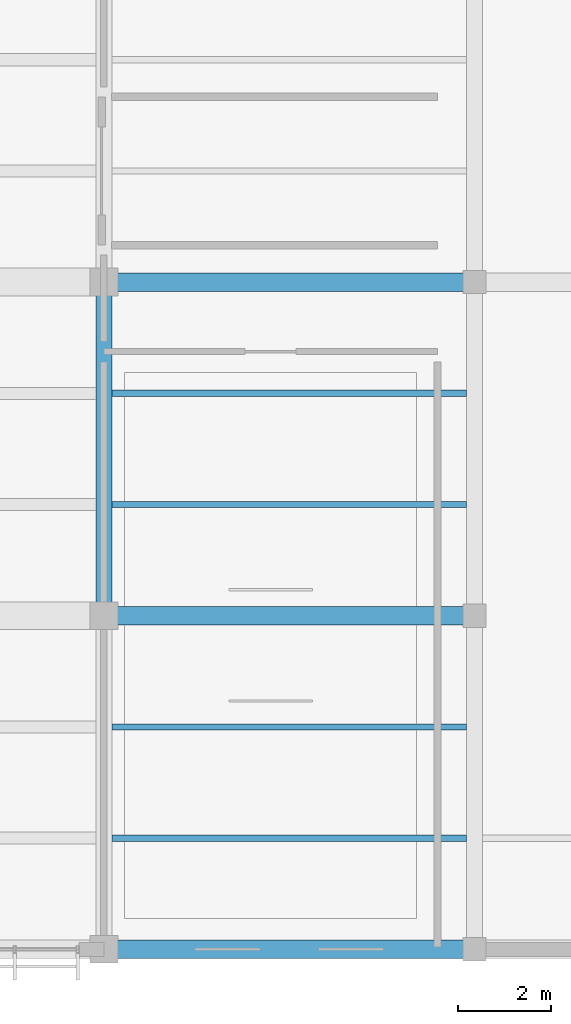
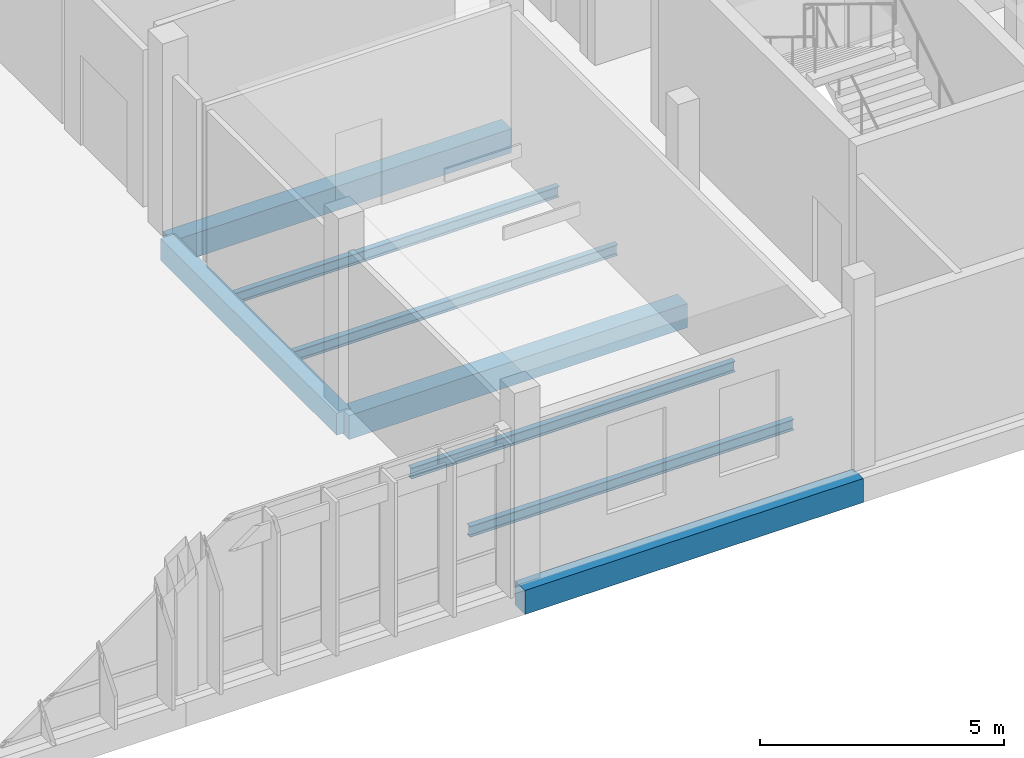
# One storey, part 17 of 177: 8 beams.
"""IFC4 building model written with IfcOpenShell, lengths in metres."""

from ifc_helpers import new_model, si_unit, direction, frame, origin, origin_2d, place, context, subcontext, project, spatial, rectangle, i_section, extrude, material, material_profile, profile_set, type_object, element, save


model = new_model("IFC4")

# Units and contexts
model_context = context("Model", 3, precision=1e-05, world=origin(), true_north=direction((0.0, 1.0)))
body_context = subcontext(model_context, "Body", "Model", "MODEL_VIEW")
ifc_project = project(units=[si_unit("LENGTHUNIT", "METRE"), si_unit("AREAUNIT", "SQUARE_METRE"), si_unit("VOLUMEUNIT", "CUBIC_METRE"), si_unit("PLANEANGLEUNIT", "RADIAN"), si_unit("MASSUNIT", "GRAM", prefix="KILO")], contexts=[model_context])

# Site, building, storey
site_placement = place(None, origin())
site = spatial("IfcSite", under=ifc_project, at=site_placement, CompositionType="ELEMENT")
building_placement = place(site_placement, origin())
building = spatial("IfcBuilding", under=site, at=building_placement, Name="Chiffa Square Polytechnic", CompositionType="ELEMENT")
storey_placement = place(building_placement, frame((0.0, 0.0, 4.800048828125)))
storey = spatial("IfcBuildingStorey", under=building, at=storey_placement, Name="L01", CompositionType="ELEMENT", Elevation=4.800048828125)

# Beams
ifc_material_1 = material(Name="Concrete C35/45", Category="concrete")
ifc_material_profile_1 = material_profile(ifc_material_1, rectangle(XDim=0.35009765625, YDim=0.550048828125, at=origin_2d()), Name="RC 350x550")
ifc_profile_set_1 = profile_set([ifc_material_profile_1], Name="Concrete C35/45")
beam_type_1 = type_object("IfcBeamType", Name="BM-RC-350X550", PredefinedType="BEAM", material=ifc_profile_set_1)
beam_placement = place(storey_placement, frame((24.0, 7.199951171875, -0.554931640625), z_axis=(0.0, 1.0, 0.0), x_axis=(-1.0, 0.0, 0.0)))
element("IfcBeam", 1, at=beam_placement, inside=storey, type_object=beam_type_1, Name="Primary floor girder BM-V3-L01-Y-0240-0072", PredefinedType="BEAM", context=body_context, shape_type="SweptSolid", body=[
    extrude(rectangle(XDim=0.35009765625, YDim=0.550048828125, at=origin_2d()), origin(), (0.0, 0.0, 1.0), 7.199951171875),
])
ifc_material_profile_2 = material_profile(ifc_material_1, rectangle(XDim=0.39990234375, YDim=0.60009765625, at=origin_2d()), Name="RC 400x600")
ifc_profile_set_2 = profile_set([ifc_material_profile_2], Name="Concrete C35/45")
beam_type_2 = type_object("IfcBeamType", Name="BM-RC-400X600", PredefinedType="BEAM", material=ifc_profile_set_2)
for number, where, z_axis, x_axis, name in (
    (2, (24.0, 0.0, -0.580078125), (1.0, 0.0, 0.0), (0.0, 1.0, 0.0), "Primary floor girder BM-V3-L01-X-0240-0000"),
    (3, (24.0, 7.199951171875, -0.580078125), (1.0, 0.0, 0.0), (0.0, 1.0, 0.0), "Primary floor girder BM-V3-L01-X-0240-0072"),
    (4, (24.0, 14.39990234375, -0.580078125), (1.0, 0.0, 0.0), (0.0, 1.0, 0.0), "Primary floor girder BM-V3-L01-X-0240-0144"),
):
    element("IfcBeam", number, at=place(storey_placement, frame(where, z_axis=z_axis, x_axis=x_axis)), inside=storey, type_object=beam_type_2, Name=name, PredefinedType="BEAM", context=body_context, shape_type="SweptSolid", body=[
        extrude(rectangle(XDim=0.39990234375, YDim=0.60009765625, at=origin_2d()), origin(), (0.0, 0.0, 1.0), 8.0),
    ])
ifc_material_2 = material(Name="Steel S355", Category="steel")
ifc_material_profile_3 = material_profile(ifc_material_2, i_section(OverallWidth=0.135009765625, OverallDepth=0.27001953125, WebThickness=0.006591796875, FlangeThickness=0.01025390625, FilletRadius=0.014892578125, at=origin_2d()), Name="IPE 270")
ifc_profile_set_3 = profile_set([ifc_material_profile_3], Name="Steel S355")
beam_type_3 = type_object("IfcBeamType", Name="JST-STL-IPE270", PredefinedType="JOIST", material=ifc_profile_set_3)
for number, where, z_axis, x_axis, name in (
    (5, (24.173095703125, 2.39990234375, -0.4150390625), (1.0, 0.0, 0.0), (0.0, 1.0, 0.0), "Secondary floor joist JST-V3-L01-0240-0024"),
    (6, (24.173095703125, 4.800048828125, -0.4150390625), (1.0, 0.0, 0.0), (0.0, 1.0, 0.0), "Secondary floor joist JST-V3-L01-0240-0048"),
    (7, (24.173095703125, 9.60009765625, -0.4150390625), (1.0, 0.0, 0.0), (0.0, 1.0, 0.0), "Secondary floor joist JST-V3-L01-0240-0096"),
    (8, (24.173095703125, 12.0, -0.4150390625), (1.0, 0.0, 0.0), (0.0, 1.0, 0.0), "Secondary floor joist JST-V3-L01-0240-0120"),
):
    element("IfcBeam", number, at=place(storey_placement, frame(where, z_axis=z_axis, x_axis=x_axis)), inside=storey, type_object=beam_type_3, Name=name, PredefinedType="JOIST", context=body_context, shape_type="SweptSolid", body=[
        extrude(i_section(OverallWidth=0.135009765625, OverallDepth=0.27001953125, WebThickness=0.006591796875, FlangeThickness=0.01025390625, FilletRadius=0.014892578125, at=origin_2d()), origin(), (0.0, 0.0, 1.0), 7.65380859375),
    ])

save(model, "model.ifc")
